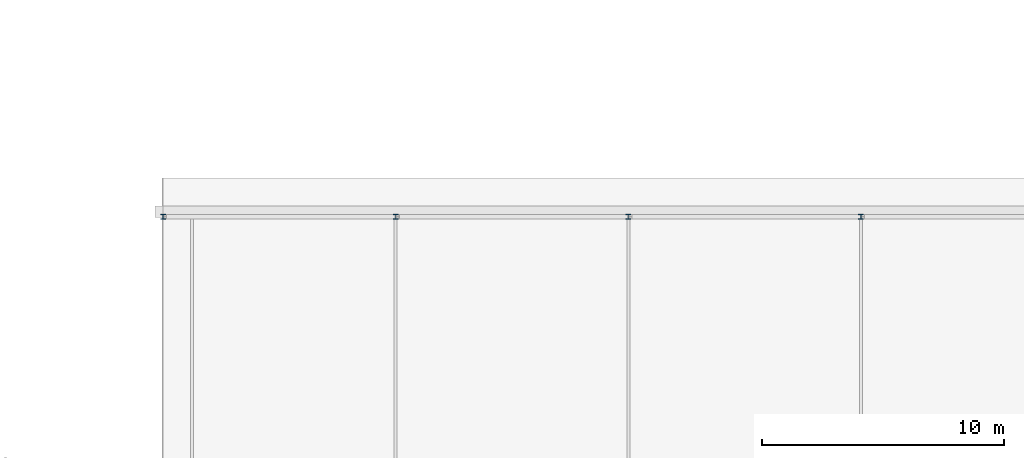
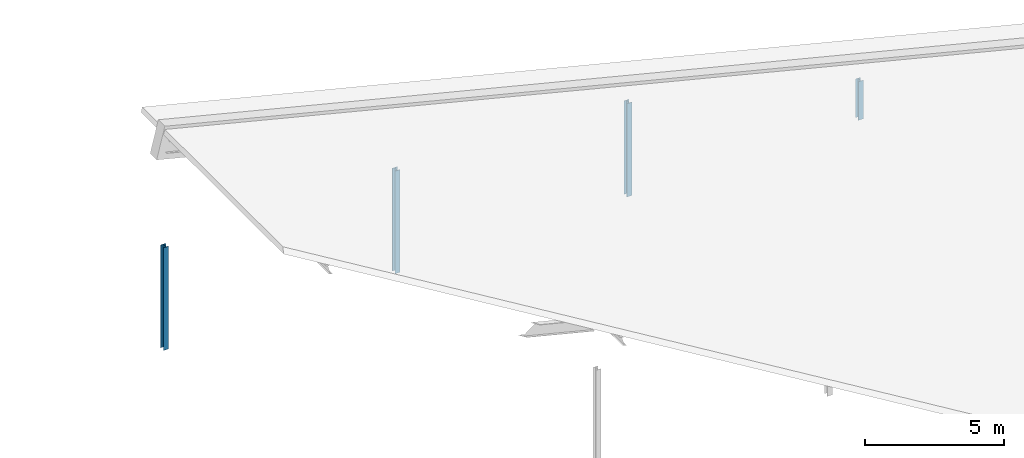
# One storey, part 16 of 93: 4 columns.
"""IFC4 building model written with IfcOpenShell, lengths in metres."""

from ifc_helpers import new_model, si_unit, direction, frame, origin, origin_2d, place, context, subcontext, project, spatial, i_section, extrude, material, material_profile, profile_set, type_object, element, save


model = new_model("IFC4")

# Units and contexts
model_context = context("Model", 3, precision=1e-05, world=origin(), true_north=direction((0.0, 1.0)))
body_context = subcontext(model_context, "Body", "Model", "MODEL_VIEW")
ifc_project = project(units=[si_unit("LENGTHUNIT", "METRE"), si_unit("AREAUNIT", "SQUARE_METRE"), si_unit("VOLUMEUNIT", "CUBIC_METRE"), si_unit("PLANEANGLEUNIT", "RADIAN"), si_unit("MASSUNIT", "GRAM", prefix="KILO")], contexts=[model_context])

# Site, building, storey
site_placement = place(None, origin())
site = spatial("IfcSite", under=ifc_project, at=site_placement, CompositionType="ELEMENT")
building_placement = place(site_placement, origin())
building = spatial("IfcBuilding", under=site, at=building_placement, Name="Dunescarp Central Library", CompositionType="ELEMENT")
storey_placement = place(building_placement, frame((0.0, 0.0, 14.10009765625)))
storey = spatial("IfcBuildingStorey", under=building, at=storey_placement, Name="L03", CompositionType="ELEMENT", Elevation=14.10009765625)

# Columns
ifc_material = material(Name="Steel S355JR", Category="steel")
ifc_material_profile = material_profile(ifc_material, i_section(OverallWidth=0.206298828125, OverallDepth=0.2158203125, WebThickness=0.010009765625, FlangeThickness=0.017333984375, at=origin_2d()), Name="UC 203x203x71")
ifc_profile_set = profile_set([ifc_material_profile], Name="Steel S355JR")
column_type = type_object("IfcColumnType", Name="STR-COL-UC203X71", PredefinedType="COLUMN", material=ifc_profile_set)
for number, where, z_axis, x_axis, name in (
    (1, (129.60009765625, 44.800048828125, 0.0), (0.0, 0.0, 1.0), (1.0, 0.0, 0.0), "L03 column V5-1296-448"),
    (2, (139.199951171875, 44.800048828125, 0.0), (0.0, 0.0, 1.0), (1.0, 0.0, 0.0), "L03 column V5-1392-448"),
):
    element("IfcColumn", number, at=place(storey_placement, frame(where, z_axis=z_axis, x_axis=x_axis)), inside=storey, type_object=column_type, Name=name, PredefinedType="COLUMN", context=body_context, shape_type="SweptSolid", body=[
        extrude(i_section(OverallWidth=0.206298828125, OverallDepth=0.2158203125, WebThickness=0.010009765625, FlangeThickness=0.017333984375, at=origin_2d()), origin(), (0.0, 0.0, 1.0), 4.5),
    ])
column_1_placement = place(storey_placement, frame((148.800048828125, 44.800048828125, 0.0), z_axis=(0.0, 0.0, 1.0), x_axis=(1.0, 0.0, 0.0)))
element("IfcColumn", 3, at=column_1_placement, inside=storey, type_object=column_type, Name="L03 column V5-1488-448", PredefinedType="COLUMN", context=body_context, shape_type="SweptSolid", body=[
    extrude(i_section(OverallWidth=0.206298828125, OverallDepth=0.2158203125, WebThickness=0.010009765625, FlangeThickness=0.017333984375, at=origin_2d()), origin(), (0.0, 0.0, 1.0), 4.093017578125),
])
column_2_placement = place(storey_placement, frame((158.39990234375, 44.800048828125, 0.0), z_axis=(0.0, 0.0, 1.0), x_axis=(1.0, 0.0, 0.0)))
element("IfcColumn", 4, at=column_2_placement, inside=storey, type_object=column_type, Name="L03 column V5-1584-448", PredefinedType="COLUMN", context=body_context, shape_type="SweptSolid", body=[
    extrude(i_section(OverallWidth=0.206298828125, OverallDepth=0.2158203125, WebThickness=0.010009765625, FlangeThickness=0.017333984375, at=origin_2d()), origin(), (0.0, 0.0, 1.0), 1.69287109375),
])

save(model, "model.ifc")
